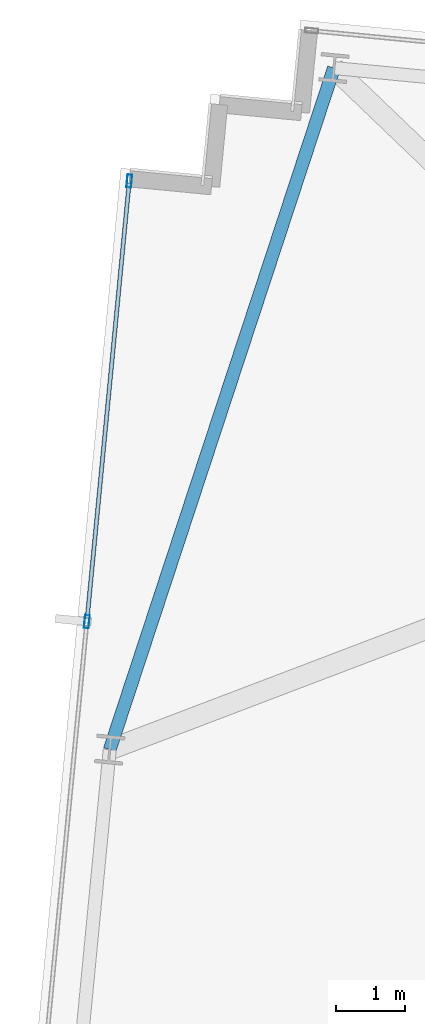
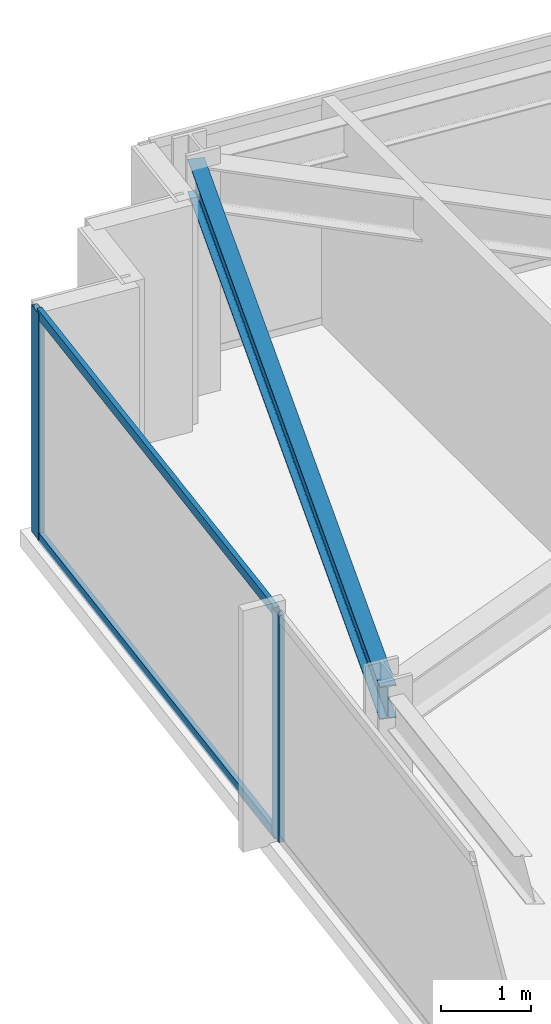
# One storey, part 21 of 37: 4 members, 1 beam, 1 element without a shape of its own.
"""IFC4 building model written with IfcOpenShell, lengths in metres."""

from ifc_helpers import new_model, si_unit, direction, frame, origin, origin_2d, place, context, subcontext, project, spatial, hollow_rectangle, i_section, extrude, material, material_profile, profile_set, type_object, element, aggregate, save


model = new_model("IFC4")

# Units and contexts
model_context = context("Model", 3, precision=1e-05, world=origin(), true_north=direction((0.0, 1.0)))
body_context = subcontext(model_context, "Body", "Model", "MODEL_VIEW")
ifc_project = project(units=[si_unit("LENGTHUNIT", "METRE"), si_unit("AREAUNIT", "SQUARE_METRE"), si_unit("VOLUMEUNIT", "CUBIC_METRE"), si_unit("PLANEANGLEUNIT", "RADIAN"), si_unit("MASSUNIT", "GRAM", prefix="KILO")], contexts=[model_context])

# Site, building, storey
site_placement = place(None, origin())
site = spatial("IfcSite", under=ifc_project, at=site_placement, CompositionType="ELEMENT")
building_placement = place(site_placement, origin())
building = spatial("IfcBuilding", under=site, at=building_placement, Name="Yelkora Congress Tower", CompositionType="ELEMENT")
storey_placement = place(building_placement, frame((0.0, 0.0, 182.0)))
storey = spatial("IfcBuildingStorey", under=building, at=storey_placement, Name="L50", CompositionType="ELEMENT", Elevation=182.0)

# Beam
ifc_material_1 = material(Name="Steel S355J2", Category="steel")
ifc_material_profile_1 = material_profile(ifc_material_1, i_section(OverallWidth=0.18994140625, OverallDepth=0.449951171875, WebThickness=0.009521484375, FlangeThickness=0.0146484375, FilletRadius=0.02099609375, at=origin_2d()), Name="IPE 450")
ifc_profile_set_1 = profile_set([ifc_material_profile_1], Name="Steel S355J2")
beam_type = type_object("IfcBeamType", Name="BM-SPAN-IPE450", PredefinedType="SPANDREL", material=ifc_profile_set_1)
beam_placement = place(storey_placement, frame((7.388916015625, 50.390625, 2.85498046875), z_axis=(-0.312456737339, -0.949931990877, 0.0), x_axis=(0.949931990877, -0.312456737339, 0.0)))
element("IfcBeam", 1, at=beam_placement, inside=storey, type_object=beam_type, Name="L50 Perimeter Beam 16", PredefinedType="SPANDREL", context=body_context, shape_type="SweptSolid", body=[
    extrude(i_section(OverallWidth=0.18994140625, OverallDepth=0.449951171875, WebThickness=0.009521484375, FlangeThickness=0.0146484375, FilletRadius=0.02099609375, at=origin_2d()), origin(), (0.0, 0.0, 1.0), 10.4560546875),
])

# Curtain wall, members
ifc_material_2 = material(Name="Anodised aluminium and insulated glass", Category="aluminium")
curtain_wall_type = type_object("IfcCurtainWallType", Name="CW-SYS-B3", PredefinedType="NOTDEFINED", material=ifc_material_2)
curtain_wall_placement = place(storey_placement, origin())
curtain_wall = element("IfcCurtainWall", 2, at=curtain_wall_placement, inside=storey, type_object=curtain_wall_type, Name="L50 Unitised Curtain Wall 5", PredefinedType="NOTDEFINED")
ifc_material_3 = material(Name="Anodised aluminium 6063-T6", Category="aluminium")
ifc_material_profile_2 = material_profile(ifc_material_3, hollow_rectangle(XDim=0.070068359375, YDim=0.18994140625, WallThickness=0.00390625, at=origin_2d()), Name="ALU 70x190x4")
ifc_profile_set_2 = profile_set([ifc_material_profile_2], Name="Anodised aluminium 6063-T6")
member_type_1 = type_object("IfcMemberType", Name="MEM-ML-B3", PredefinedType="MULLION", material=ifc_profile_set_2)
member_1_placement = place(storey_placement, frame((3.7890625, 42.324462890625, 0.0), z_axis=(0.0, 0.0, 1.0), x_axis=(-0.995396242473, 0.095845294465, 0.0)))
member_1 = element("IfcMember", 3, at=member_1_placement, type_object=member_type_1, Name="CW-B3 mullion 5", PredefinedType="MULLION", context=body_context, shape_type="SweptSolid", body=[
    extrude(hollow_rectangle(XDim=0.070068359375, YDim=0.18994140625, WallThickness=0.00390625, at=origin_2d()), origin(), (0.0, 0.0, 1.0), 3.080078125),
])
member_2_placement = place(storey_placement, frame((4.4072265625, 48.74365234375, 0.0), z_axis=(0.0, 0.0, 1.0), x_axis=(-0.995396242473, 0.095845294465, 0.0)))
member_2 = element("IfcMember", 4, at=member_2_placement, type_object=member_type_1, Name="CW-B3 mullion 6", PredefinedType="MULLION", context=body_context, shape_type="SweptSolid", body=[
    extrude(hollow_rectangle(XDim=0.070068359375, YDim=0.18994140625, WallThickness=0.00390625, at=origin_2d()), origin(), (0.0, 0.0, 1.0), 3.080078125),
])
ifc_material_profile_3 = material_profile(ifc_material_3, hollow_rectangle(XDim=0.06005859375, YDim=0.1298828125, WallThickness=0.00390625, at=origin_2d()), Name="ALU 60x130x4")
ifc_profile_set_3 = profile_set([ifc_material_profile_3], Name="Anodised aluminium 6063-T6")
member_type_2 = type_object("IfcMemberType", Name="MEM-TR-B3", PredefinedType="USERDEFINED", material=ifc_profile_set_3)
member_3_placement = place(storey_placement, frame((3.79248046875, 42.359375, 0.030029296875), z_axis=(0.095834923543, 0.99539724102, 0.0), x_axis=(-0.99539724102, 0.095834923543, 0.0)))
member_3 = element("IfcMember", 5, at=member_3_placement, type_object=member_type_2, Name="CW-B3 transom 5.1", ObjectType="TRANSOM", PredefinedType="USERDEFINED", context=body_context, shape_type="SweptSolid", body=[
    extrude(hollow_rectangle(XDim=0.06005859375, YDim=0.1298828125, WallThickness=0.00390625, at=origin_2d()), origin(), (0.0, 0.0, 1.0), 6.37890625),
])
member_4_placement = place(storey_placement, frame((3.79248046875, 42.359375, 3.050048828125), z_axis=(0.095834923543, 0.99539724102, 0.0), x_axis=(-0.99539724102, 0.095834923543, 0.0)))
member_4 = element("IfcMember", 6, at=member_4_placement, type_object=member_type_2, Name="CW-B3 transom 5.2", ObjectType="TRANSOM", PredefinedType="USERDEFINED", context=body_context, shape_type="SweptSolid", body=[
    extrude(hollow_rectangle(XDim=0.06005859375, YDim=0.1298828125, WallThickness=0.00390625, at=origin_2d()), origin(), (0.0, 0.0, 1.0), 6.37890625),
])
aggregate(curtain_wall, [member_1, member_2, member_3, member_4])

save(model, "model.ifc")
